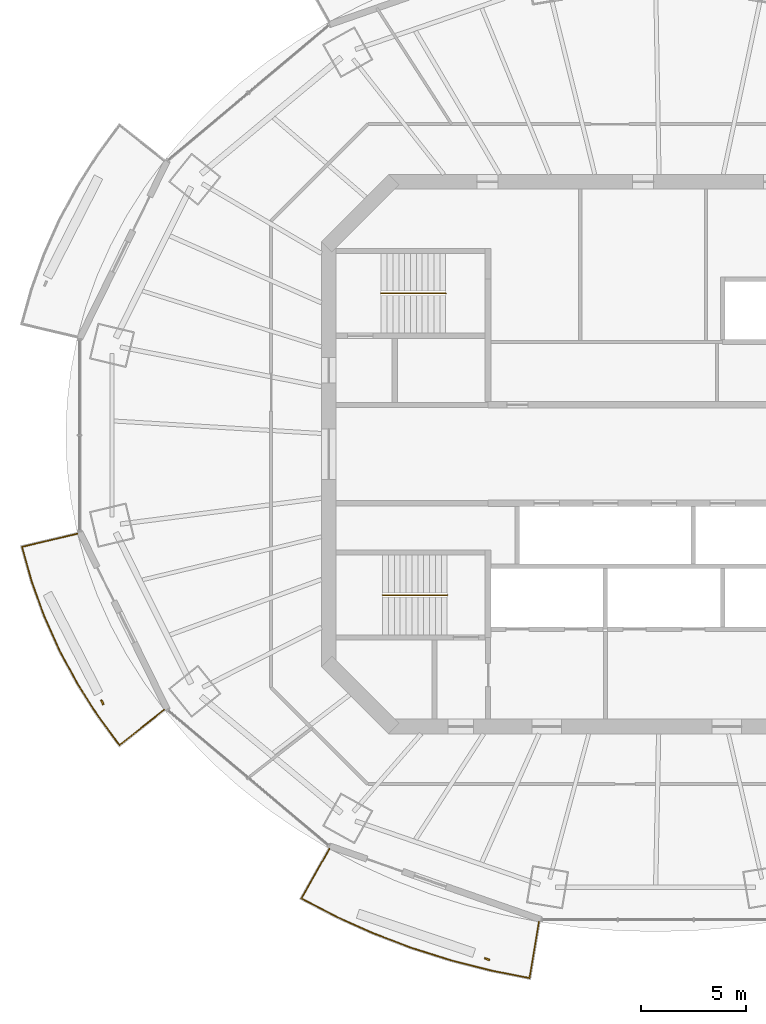
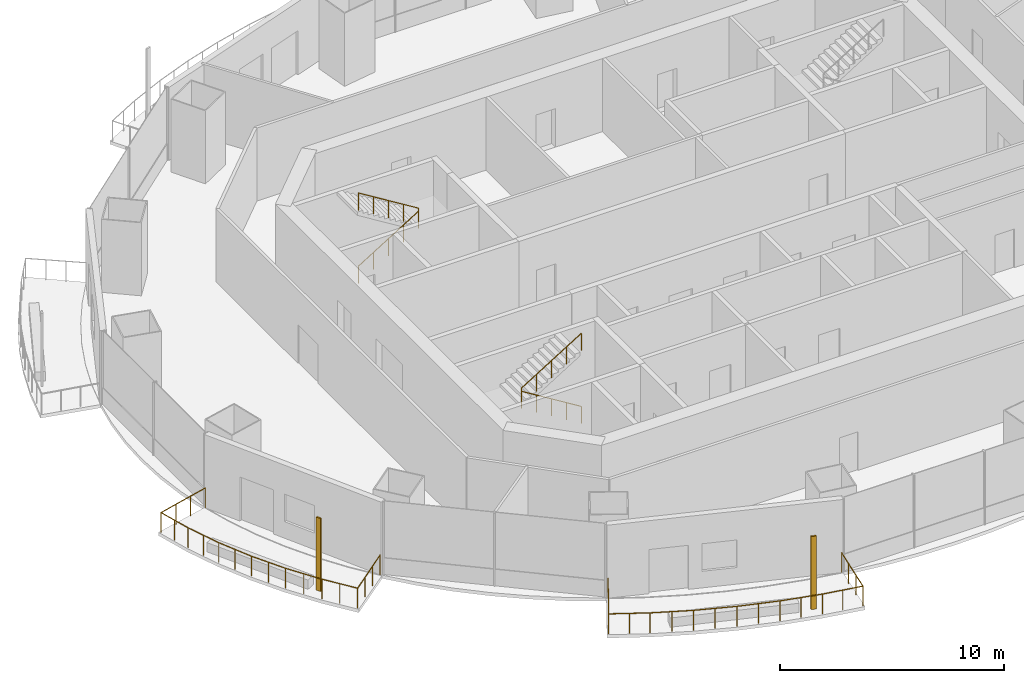
# One storey, part 12 of 16: 4 railings, 2 shading devices.
"""IFC4 building model written with IfcOpenShell, lengths in metres."""

from ifc_helpers import new_model, si_unit, direction, frame, origin, origin_2d, place, context, subcontext, project, spatial, rectangle, circle, extrude, material, material_profile, profile_set, type_object, element, save


model = new_model("IFC4")

# Units and contexts
model_context = context("Model", 3, precision=1e-05, world=origin(), true_north=direction((0.0, 1.0)))
body_context = subcontext(model_context, "Body", "Model", "MODEL_VIEW")
ifc_project = project(units=[si_unit("LENGTHUNIT", "METRE"), si_unit("AREAUNIT", "SQUARE_METRE"), si_unit("VOLUMEUNIT", "CUBIC_METRE"), si_unit("PLANEANGLEUNIT", "RADIAN"), si_unit("MASSUNIT", "GRAM", prefix="KILO")], contexts=[model_context])

# Site, building, storey
site_placement = place(None, origin())
site = spatial("IfcSite", under=ifc_project, at=site_placement, CompositionType="ELEMENT")
building_placement = place(site_placement, origin())
building = spatial("IfcBuilding", under=site, at=building_placement, Name="Marenthal Gate Tower", CompositionType="ELEMENT")
storey_placement = place(building_placement, frame((0.0, 0.0, 317.699951171875)))
storey = spatial("IfcBuildingStorey", under=building, at=storey_placement, Name="L71", CompositionType="ELEMENT", Elevation=317.699951171875)

# Railings
ifc_material_1 = material(Name="Stainless steel", Category="steel")
railing_type_1 = type_object("IfcRailingType", Name="Balcony guard 1100", PredefinedType="GUARDRAIL", material=ifc_material_1)
railing_1_placement = place(storey_placement, frame((-23.85888671875, -12.199951171875, 0.0)))
element("IfcRailing", 1, at=railing_1_placement, inside=storey, type_object=railing_type_1, Name="Balcony guard L71 bay 9", PredefinedType="GUARDRAIL", context=body_context, shape_type="SweptSolid", body=[
    extrude(circle(Radius=0.02392578125, at=origin_2d()), frame((0.0, 0.0, 1.076171875), z_axis=(-0.783369120747, -0.621382494221, -0.014717898477), x_axis=(0.621449806018, -0.783453979886, 0.0)), (0.0, 0.0, 1.0), 2.720458984375),
    extrude(circle(Radius=0.02392578125, at=origin_2d()), frame((-2.131103515625, -1.6904296875, 1.0361328125), z_axis=(-0.592865267426, 0.80530166688, 0.0), x_axis=(-0.80530166688, -0.592865267426, 0.0)), (0.0, 0.0, 1.0), 1.746826171875),
    extrude(circle(Radius=0.02392578125, at=origin_2d()), frame((-3.166748046875, -0.28369140625, 1.0361328125), z_axis=(-0.536204581752, 0.844088056134, 0.0), x_axis=(-0.844088056134, -0.536204581752, 0.0)), (0.0, 0.0, 1.0), 1.8134765625),
    extrude(circle(Radius=0.02392578125, at=origin_2d()), frame((-4.13916015625, 1.2470703125, 1.0361328125), z_axis=(-0.473954337588, 0.880549422736, 0.0), x_axis=(-0.880549422736, -0.473954337588, 0.0)), (0.0, 0.0, 1.0), 1.80126953125),
    extrude(circle(Radius=0.02392578125, at=origin_2d()), frame((-4.992919921875, 2.833251953125, 1.0361328125), z_axis=(-0.408237493427, 0.91287575768, 0.0), x_axis=(-0.91287575768, -0.408237493427, 0.0)), (0.0, 0.0, 1.0), 1.79052734375),
    extrude(circle(Radius=0.02392578125, at=origin_2d()), frame((-5.723876953125, 4.4677734375, 1.0361328125), z_axis=(-0.339078586837, 0.940758051759, 0.0), x_axis=(-0.940758051759, -0.339078586837, 0.0)), (0.0, 0.0, 1.0), 1.78125),
    extrude(circle(Radius=0.02392578125, at=origin_2d()), frame((-6.327880859375, 6.1435546875, 1.0361328125), z_axis=(-0.268699441424, 0.963224070598, 0.0), x_axis=(-0.963224070598, -0.268699441424, 0.0)), (0.0, 0.0, 1.0), 1.693603515625),
    extrude(circle(Radius=0.02392578125, at=origin_2d()), frame((-6.782958984375, 7.77490234375, 1.0361328125), z_axis=(0.973137241572, 0.229754803876, 0.014718667123), x_axis=(-0.229779694864, 0.97324266852, 0.0)), (0.0, 0.0, 1.0), 2.72021484375),
    extrude(circle(Radius=0.02099609375, at=origin_2d()), origin(), (0.0, 0.0, 1.0), 1.052001953125),
    extrude(circle(Radius=0.02099609375, at=origin_2d()), frame((-0.71044921875, -0.5634765625, -0.013427734375)), (0.0, 0.0, 1.0), 1.052001953125),
    extrude(circle(Radius=0.02099609375, at=origin_2d()), frame((-1.420654296875, -1.126953125, -0.026611328125)), (0.0, 0.0, 1.0), 1.052001953125),
    extrude(circle(Radius=0.02099609375, at=origin_2d()), frame((-2.131103515625, -1.6904296875, -0.0400390625)), (0.0, 0.0, 1.0), 1.052001953125),
    extrude(circle(Radius=0.02099609375, at=origin_2d()), frame((-2.64892578125, -0.987060546875, -0.0400390625)), (0.0, 0.0, 1.0), 1.052001953125),
    extrude(circle(Radius=0.02099609375, at=origin_2d()), frame((-3.166748046875, -0.28369140625, -0.0400390625)), (0.0, 0.0, 1.0), 1.052001953125),
    extrude(circle(Radius=0.02099609375, at=origin_2d()), frame((-3.65283203125, 0.481689453125, -0.0400390625)), (0.0, 0.0, 1.0), 1.052001953125),
    extrude(circle(Radius=0.02099609375, at=origin_2d()), frame((-4.13916015625, 1.2470703125, -0.0400390625)), (0.0, 0.0, 1.0), 1.052001953125),
    extrude(circle(Radius=0.02099609375, at=origin_2d()), frame((-4.56591796875, 2.0400390625, -0.0400390625)), (0.0, 0.0, 1.0), 1.052001953125),
    extrude(circle(Radius=0.02099609375, at=origin_2d()), frame((-4.992919921875, 2.833251953125, -0.0400390625)), (0.0, 0.0, 1.0), 1.052001953125),
    extrude(circle(Radius=0.02099609375, at=origin_2d()), frame((-5.3583984375, 3.650390625, -0.0400390625)), (0.0, 0.0, 1.0), 1.052001953125),
    extrude(circle(Radius=0.02099609375, at=origin_2d()), frame((-5.723876953125, 4.4677734375, -0.0400390625)), (0.0, 0.0, 1.0), 1.052001953125),
    extrude(circle(Radius=0.02099609375, at=origin_2d()), frame((-6.02587890625, 5.3056640625, -0.0400390625)), (0.0, 0.0, 1.0), 1.052001953125),
    extrude(circle(Radius=0.02099609375, at=origin_2d()), frame((-6.327880859375, 6.1435546875, -0.0400390625)), (0.0, 0.0, 1.0), 1.052001953125),
    extrude(circle(Radius=0.02099609375, at=origin_2d()), frame((-6.555419921875, 6.959228515625, -0.0400390625)), (0.0, 0.0, 1.0), 1.052001953125),
    extrude(circle(Radius=0.02099609375, at=origin_2d()), frame((-6.782958984375, 7.77490234375, -0.0400390625)), (0.0, 0.0, 1.0), 1.052001953125),
    extrude(circle(Radius=0.02099609375, at=origin_2d()), frame((-5.900634765625, 7.983154296875, -0.026611328125)), (0.0, 0.0, 1.0), 1.052001953125),
    extrude(circle(Radius=0.02099609375, at=origin_2d()), frame((-5.01806640625, 8.191650390625, -0.013427734375)), (0.0, 0.0, 1.0), 1.052001953125),
    extrude(circle(Radius=0.02099609375, at=origin_2d()), frame((-4.1357421875, 8.39990234375, 0.0)), (0.0, 0.0, 1.0), 1.052001953125),
])
railing_2_placement = place(storey_placement, frame((-5.971435546875, -22.323486328125, 0.0)))
element("IfcRailing", 2, at=railing_2_placement, inside=storey, type_object=railing_type_1, Name="Balcony guard L71 bay 11", PredefinedType="GUARDRAIL", context=body_context, shape_type="SweptSolid", body=[
    extrude(circle(Radius=0.02392578125, at=origin_2d()), frame((0.0, 0.0, 1.076171875), z_axis=(-0.165225230724, -0.986146026723, -0.014718597414), x_axis=(0.986252861995, -0.165243130591, 0.0)), (0.0, 0.0, 1.0), 2.72021484375),
    extrude(circle(Radius=0.02392578125, at=origin_2d()), frame((-0.449462890625, -2.6826171875, 1.0361328125), z_axis=(-0.981061826101, 0.193694846002, 0.0), x_axis=(-0.193694846002, -0.981061826101, 0.0)), (0.0, 0.0, 1.0), 1.900634765625),
    extrude(circle(Radius=0.02392578125, at=origin_2d()), frame((-2.314208984375, -2.314453125, 1.0361328125), z_axis=(-0.968929698625, 0.247336287518, 0.0), x_axis=(-0.247336287518, -0.968929698625, 0.0)), (0.0, 0.0, 1.0), 1.97314453125),
    extrude(circle(Radius=0.02392578125, at=origin_2d()), frame((-4.22607421875, -1.826416015625, 1.0361328125), z_axis=(-0.953336263061, 0.301910532331, 0.0), x_axis=(-0.301910532331, -0.953336263061, 0.0)), (0.0, 0.0, 1.0), 1.964111328125),
    extrude(circle(Radius=0.02392578125, at=origin_2d()), frame((-6.0986328125, -1.2333984375, 1.0361328125), z_axis=(-0.93433720277, 0.356390223659, 0.0), x_axis=(-0.356390223659, -0.93433720277, 0.0)), (0.0, 0.0, 1.0), 1.95361328125),
    extrude(circle(Radius=0.02392578125, at=origin_2d()), frame((-7.924072265625, -0.537109375, 1.0361328125), z_axis=(-0.911982656783, 0.4102287578, 0.0), x_axis=(-0.4102287578, -0.911982656783, 0.0)), (0.0, 0.0, 1.0), 1.94189453125),
    extrude(circle(Radius=0.02392578125, at=origin_2d()), frame((-9.695068359375, 0.259521484375, 1.0361328125), z_axis=(-0.88661074156, 0.462516370467, 0.0), x_axis=(-0.462516370467, -0.88661074156, 0.0)), (0.0, 0.0, 1.0), 1.84912109375),
    extrude(circle(Radius=0.02392578125, at=origin_2d()), frame((-11.33447265625, 1.11474609375, 1.0361328125), z_axis=(0.490459508418, 0.871339682934, 0.014718272531), x_axis=(-0.871434076359, 0.490512640571, 0.0)), (0.0, 0.0, 1.0), 2.720458984375),
    extrude(circle(Radius=0.02099609375, at=origin_2d()), origin(), (0.0, 0.0, 1.0), 1.052001953125),
    extrude(circle(Radius=0.02099609375, at=origin_2d()), frame((-0.14990234375, -0.894287109375, -0.013427734375)), (0.0, 0.0, 1.0), 1.052001953125),
    extrude(circle(Radius=0.02099609375, at=origin_2d()), frame((-0.299560546875, -1.788330078125, -0.026611328125)), (0.0, 0.0, 1.0), 1.052001953125),
    extrude(circle(Radius=0.02099609375, at=origin_2d()), frame((-0.449462890625, -2.6826171875, -0.0400390625)), (0.0, 0.0, 1.0), 1.052001953125),
    extrude(circle(Radius=0.02099609375, at=origin_2d()), frame((-1.3818359375, -2.49853515625, -0.0400390625)), (0.0, 0.0, 1.0), 1.052001953125),
    extrude(circle(Radius=0.02099609375, at=origin_2d()), frame((-2.314208984375, -2.314453125, -0.0400390625)), (0.0, 0.0, 1.0), 1.052001953125),
    extrude(circle(Radius=0.02099609375, at=origin_2d()), frame((-3.27001953125, -2.0703125, -0.0400390625)), (0.0, 0.0, 1.0), 1.052001953125),
    extrude(circle(Radius=0.02099609375, at=origin_2d()), frame((-4.22607421875, -1.826416015625, -0.0400390625)), (0.0, 0.0, 1.0), 1.052001953125),
    extrude(circle(Radius=0.02099609375, at=origin_2d()), frame((-5.162353515625, -1.52978515625, -0.0400390625)), (0.0, 0.0, 1.0), 1.052001953125),
    extrude(circle(Radius=0.02099609375, at=origin_2d()), frame((-6.0986328125, -1.2333984375, -0.0400390625)), (0.0, 0.0, 1.0), 1.052001953125),
    extrude(circle(Radius=0.02099609375, at=origin_2d()), frame((-7.01123046875, -0.88525390625, -0.0400390625)), (0.0, 0.0, 1.0), 1.052001953125),
    extrude(circle(Radius=0.02099609375, at=origin_2d()), frame((-7.924072265625, -0.537109375, -0.0400390625)), (0.0, 0.0, 1.0), 1.052001953125),
    extrude(circle(Radius=0.02099609375, at=origin_2d()), frame((-8.8095703125, -0.138671875, -0.0400390625)), (0.0, 0.0, 1.0), 1.052001953125),
    extrude(circle(Radius=0.02099609375, at=origin_2d()), frame((-9.695068359375, 0.259521484375, -0.0400390625)), (0.0, 0.0, 1.0), 1.052001953125),
    extrude(circle(Radius=0.02099609375, at=origin_2d()), frame((-10.5146484375, 0.68701171875, -0.0400390625)), (0.0, 0.0, 1.0), 1.052001953125),
    extrude(circle(Radius=0.02099609375, at=origin_2d()), frame((-11.33447265625, 1.11474609375, -0.0400390625)), (0.0, 0.0, 1.0), 1.052001953125),
    extrude(circle(Radius=0.02099609375, at=origin_2d()), frame((-10.8896484375, 1.90478515625, -0.026611328125)), (0.0, 0.0, 1.0), 1.052001953125),
    extrude(circle(Radius=0.02099609375, at=origin_2d()), frame((-10.445068359375, 2.695068359375, -0.013427734375)), (0.0, 0.0, 1.0), 1.052001953125),
    extrude(circle(Radius=0.02099609375, at=origin_2d()), frame((-10.000244140625, 3.485107421875, 0.0)), (0.0, 0.0, 1.0), 1.052001953125),
])
ifc_material_2 = material(Name="Stainless steel", Category="steel")
railing_type_2 = type_object("IfcRailingType", Name="Stair handrail", PredefinedType="HANDRAIL", material=ifc_material_2)
railing_3_placement = place(storey_placement, frame((-13.5, 7.675048828125, 0.1728515625)))
element("IfcRailing", 3, at=railing_3_placement, inside=storey, type_object=railing_type_2, Name="Handrail ST1", PredefinedType="HANDRAIL", context=body_context, shape_type="SweptSolid", body=[
    extrude(circle(Radius=0.0224609375, at=origin_2d()), frame((0.0, 0.0, 0.927490234375), z_axis=(0.850835241893, 0.0, 0.525432575268), x_axis=(0.0, 1.0, 0.0)), (0.0, 0.0, 1.0), 3.6201171875),
    extrude(circle(Radius=0.0224609375, at=origin_2d()), frame((3.080078125, 0.0, 2.82958984375), z_axis=(0.0, 0.0, 1.0), x_axis=(1.0, 0.0, 0.0)), (0.0, 0.0, 1.0), 0.173095703125),
    extrude(circle(Radius=0.0224609375, at=origin_2d()), frame((3.080078125, 0.0, 3.002685546875), z_axis=(-0.850835241893, 0.0, 0.525432575268), x_axis=(0.0, -1.0, 0.0)), (0.0, 0.0, 1.0), 3.6201171875),
    extrude(circle(Radius=0.02001953125, at=origin_2d()), origin(), (0.0, 0.0, 1.0), 0.905029296875),
    extrude(circle(Radius=0.02001953125, at=origin_2d()), frame((0.77001953125, 0.0, 0.4755859375)), (0.0, 0.0, 1.0), 0.905029296875),
    extrude(circle(Radius=0.02001953125, at=origin_2d()), frame((1.5400390625, 0.0, 0.951171875)), (0.0, 0.0, 1.0), 0.905029296875),
    extrude(circle(Radius=0.02001953125, at=origin_2d()), frame((2.31005859375, 0.0, 1.426513671875)), (0.0, 0.0, 1.0), 0.905029296875),
    extrude(circle(Radius=0.02001953125, at=origin_2d()), frame((3.080078125, 0.0, 1.902099609375)), (0.0, 0.0, 1.0), 0.905029296875),
    extrude(circle(Radius=0.02001953125, at=origin_2d()), frame((3.080078125, 0.0, 2.0751953125)), (0.0, 0.0, 1.0), 0.905029296875),
    extrude(circle(Radius=0.02001953125, at=origin_2d()), frame((2.31005859375, 0.0, 2.55078125)), (0.0, 0.0, 1.0), 0.905029296875),
    extrude(circle(Radius=0.02001953125, at=origin_2d()), frame((1.5400390625, 0.0, 3.0263671875)), (0.0, 0.0, 1.0), 0.905029296875),
    extrude(circle(Radius=0.02001953125, at=origin_2d()), frame((0.77001953125, 0.0, 3.501708984375)), (0.0, 0.0, 1.0), 0.905029296875),
    extrude(circle(Radius=0.02001953125, at=origin_2d()), frame((0.0, 0.0, 3.977294921875)), (0.0, 0.0, 1.0), 0.905029296875),
])
railing_4_placement = place(storey_placement, frame((-10.35009765625, -6.72509765625, 0.1728515625)))
element("IfcRailing", 4, at=railing_4_placement, inside=storey, type_object=railing_type_2, Name="Handrail ST2", PredefinedType="HANDRAIL", context=body_context, shape_type="SweptSolid", body=[
    extrude(circle(Radius=0.0224609375, at=origin_2d()), frame((0.0, 0.0, 0.927490234375), z_axis=(-0.850816621229, 0.0, 0.525462726595), x_axis=(0.0, -1.0, 0.0)), (0.0, 0.0, 1.0), 3.619873046875),
    extrude(circle(Radius=0.0224609375, at=origin_2d()), frame((-3.079833984375, 0.0, 2.82958984375), z_axis=(0.0, 0.0, 1.0), x_axis=(1.0, 0.0, 0.0)), (0.0, 0.0, 1.0), 0.173095703125),
    extrude(circle(Radius=0.0224609375, at=origin_2d()), frame((-3.079833984375, 0.0, 3.002685546875), z_axis=(0.850816621229, 0.0, 0.525462726595), x_axis=(0.0, 1.0, 0.0)), (0.0, 0.0, 1.0), 3.619873046875),
    extrude(circle(Radius=0.02001953125, at=origin_2d()), origin(), (0.0, 0.0, 1.0), 0.905029296875),
    extrude(circle(Radius=0.02001953125, at=origin_2d()), frame((-0.77001953125, 0.0, 0.4755859375)), (0.0, 0.0, 1.0), 0.905029296875),
    extrude(circle(Radius=0.02001953125, at=origin_2d()), frame((-1.5400390625, 0.0, 0.951171875)), (0.0, 0.0, 1.0), 0.905029296875),
    extrude(circle(Radius=0.02001953125, at=origin_2d()), frame((-2.309814453125, 0.0, 1.426513671875)), (0.0, 0.0, 1.0), 0.905029296875),
    extrude(circle(Radius=0.02001953125, at=origin_2d()), frame((-3.079833984375, 0.0, 1.902099609375)), (0.0, 0.0, 1.0), 0.905029296875),
    extrude(circle(Radius=0.02001953125, at=origin_2d()), frame((-3.079833984375, 0.0, 2.0751953125)), (0.0, 0.0, 1.0), 0.905029296875),
    extrude(circle(Radius=0.02001953125, at=origin_2d()), frame((-2.309814453125, 0.0, 2.55078125)), (0.0, 0.0, 1.0), 0.905029296875),
    extrude(circle(Radius=0.02001953125, at=origin_2d()), frame((-1.5400390625, 0.0, 3.0263671875)), (0.0, 0.0, 1.0), 0.905029296875),
    extrude(circle(Radius=0.02001953125, at=origin_2d()), frame((-0.77001953125, 0.0, 3.501708984375)), (0.0, 0.0, 1.0), 0.905029296875),
    extrude(circle(Radius=0.02001953125, at=origin_2d()), frame((0.0, 0.0, 3.977294921875)), (0.0, 0.0, 1.0), 0.905029296875),
])

# Shading devices
ifc_material_3 = material(Name="Terracotta", Category="masonry")
ifc_material_profile = material_profile(ifc_material_3, rectangle(XDim=0.25, YDim=0.080078125, at=origin_2d()), Name="Terracotta baguette 250x80")
ifc_profile_set = profile_set([ifc_material_profile], Name="Terracotta")
shading_device_type = type_object("IfcShadingDeviceType", Name="Terracotta BAGUETTE SCREEN 250x80", PredefinedType="USERDEFINED", material=ifc_profile_set)
for number, where, z_axis, x_axis, name in (
    (5, (-26.809814453125, -11.8447265625, -0.0400390625), (0.0, 0.0, 1.0), (0.441517596382, -0.897252591016, 0.0), "Terracotta BAGUETTE L71 bay 9R"),
    (6, (-8.440185546875, -24.097900390625, -0.0400390625), (0.0, 0.0, 1.0), (0.944249095616, -0.329231902203, 0.0), "Terracotta BAGUETTE L71 bay 11R"),
):
    element("IfcShadingDevice", number, at=place(storey_placement, frame(where, z_axis=z_axis, x_axis=x_axis)), inside=storey, type_object=shading_device_type, Name=name, ObjectType="BAGUETTE SCREEN", PredefinedType="USERDEFINED", context=body_context, shape_type="SweptSolid", body=[
        extrude(rectangle(XDim=0.25, YDim=0.080078125, at=origin_2d()), origin(), (0.0, 0.0, 1.0), 3.969970703125),
    ])

save(model, "model.ifc")
